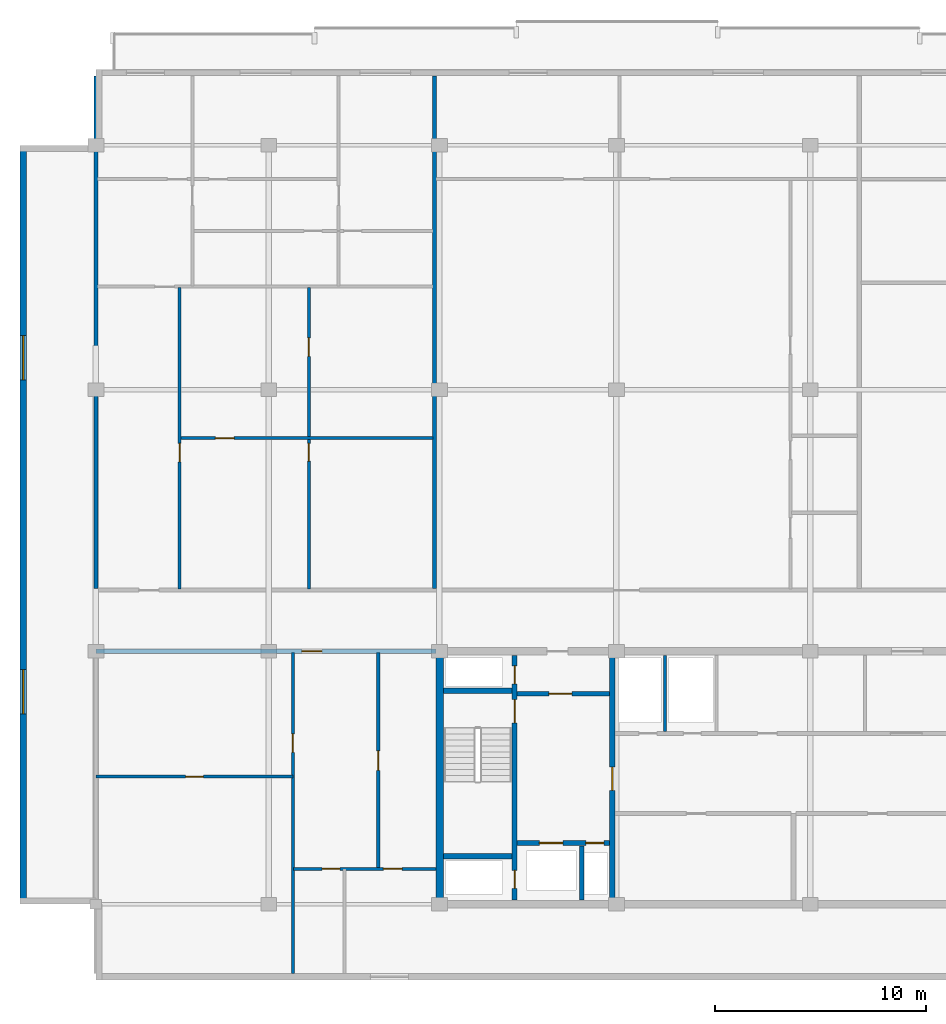
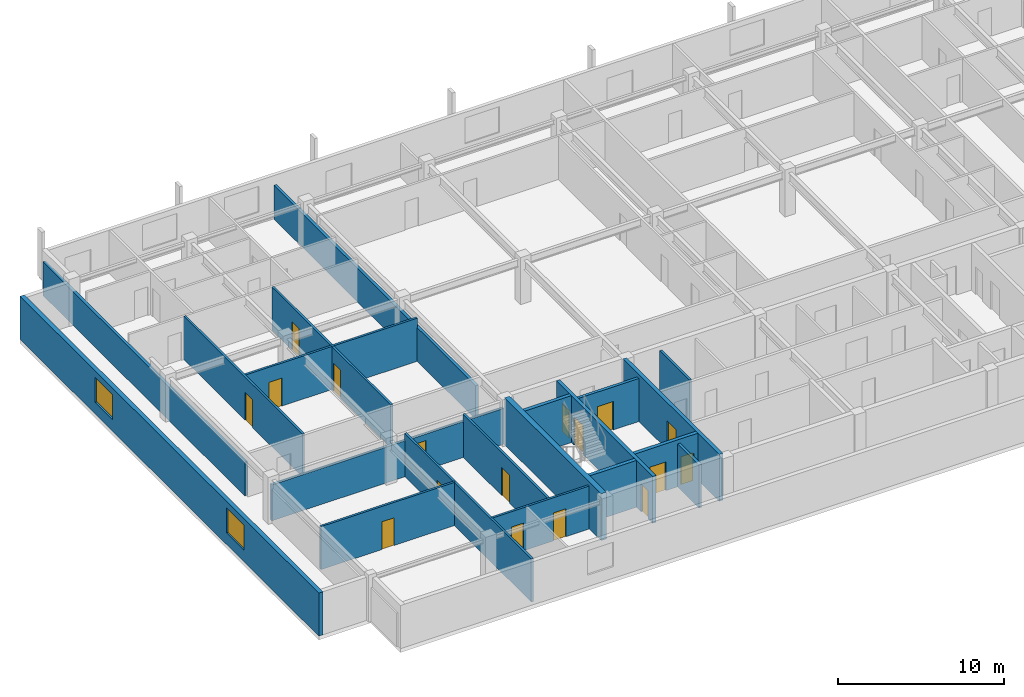
# One storey, part 3 of 10: 20 walls, 17 doors, 2 windows, 19 openings.
"""IFC4 building model written with IfcOpenShell, lengths in metres."""

import ifcopenshell
import ifcopenshell.guid

model = None  # the IFC model being written
_history = None  # IfcOwnerHistory: only IFC2X3 demands one
_inside = {}  # id of a spatial element -> (the spatial element, [elements in it])
_under = {}  # id of a project, library or spatial element -> (it, [spatial elements below it])
_declared = {}  # id of a project -> (the project, [libraries it declares])
_typed = {}  # id of a type object -> (the type object, [elements of that type])
_made_of = {}  # id of a material, layer set ... -> (it, [elements and type objects made of it])


def new_model(schema):
    """Start an empty IFC model of exactly this schema.

    Asked for "IFC4X3", IfcOpenShell would pick the latest addendum, in which some entities
    have other attributes; the version numbers below select the first issue.
    IFC2X3 requires an IfcOwnerHistory on every rooted entity: one is made here for all.
    """
    global model, _history
    if schema == "IFC4X3":
        model = ifcopenshell.file(schema_version=(4, 3, 0, 0))
    else:
        model = ifcopenshell.file(schema=schema)
    _inside.clear()
    _under.clear()
    _declared.clear()
    _typed.clear()
    _made_of.clear()
    _history = None
    if model.schema == "IFC2X3":
        org = make("IfcOrganization", Name="unknown")
        user = make(
            "IfcPersonAndOrganization",
            ThePerson=make("IfcPerson", FamilyName="unknown"),
            TheOrganization=org,
        )
        app = make(
            "IfcApplication",
            ApplicationDeveloper=org,
            Version="unknown",
            ApplicationFullName="unknown",
            ApplicationIdentifier="unknown",
        )
        _history = make(
            "IfcOwnerHistory",
            OwningUser=user,
            OwningApplication=app,
            ChangeAction="ADDED",
            CreationDate=0,
        )
    return model


def make(cls, **values):
    """One entity of the class cls with the attributes given. An attribute that is None is left unset."""
    return model.create_entity(
        cls, **{name: value for name, value in values.items() if value is not None}
    )


def rooted(cls, **values):
    """An entity with a GlobalId (a new one), such as an element, a storey or a relation."""
    return make(cls, GlobalId=ifcopenshell.guid.new(), OwnerHistory=_history, **values)


def si_unit(unit_type, name, prefix=None):
    """IfcSIUnit, for example si_unit("LENGTHUNIT", "METRE", prefix="MILLI")."""
    return make("IfcSIUnit", UnitType=unit_type, Prefix=prefix, Name=name)


def assignment(units):
    """IfcUnitAssignment: the units of a project."""
    return None if units is None else make("IfcUnitAssignment", Units=units)


def point(xyz):
    """IfcCartesianPoint."""
    return None if xyz is None else make("IfcCartesianPoint", Coordinates=xyz)


def direction(xyz):
    """IfcDirection."""
    return None if xyz is None else make("IfcDirection", DirectionRatios=xyz)


def frame(location, z_axis=None, x_axis=None):
    """IfcAxis2Placement3D, a coordinate frame: its origin and axes. An axis left out is left unset."""
    return make(
        "IfcAxis2Placement3D",
        Location=point(location),
        Axis=direction(z_axis),
        RefDirection=direction(x_axis),
    )


def frame_2d(location, x_axis=None):
    """IfcAxis2Placement2D, a coordinate frame in the plane: its origin and x axis."""
    return make(
        "IfcAxis2Placement2D", Location=point(location), RefDirection=direction(x_axis)
    )


def origin():
    """The frame at (0, 0, 0) with its axes left unset."""
    return frame((0.0, 0.0, 0.0))


def place(relative_to, where):
    """IfcLocalPlacement: puts the frame where relative to a parent placement (None: the world)."""
    return make(
        "IfcLocalPlacement", PlacementRelTo=relative_to, RelativePlacement=where
    )


def context(
    kind, dimensions, precision=None, world=None, true_north=None, identifier=None
):
    """IfcGeometricRepresentationContext, for example the 3D "Model" context."""
    return make(
        "IfcGeometricRepresentationContext",
        ContextIdentifier=identifier,
        ContextType=kind,
        CoordinateSpaceDimension=dimensions,
        Precision=precision,
        WorldCoordinateSystem=world,
        TrueNorth=true_north,
    )


def subcontext(parent, identifier, kind, view, scale=None):
    """IfcGeometricRepresentationSubContext, for example "Body" below "Model"."""
    return make(
        "IfcGeometricRepresentationSubContext",
        ContextIdentifier=identifier,
        ContextType=kind,
        ParentContext=parent,
        TargetScale=scale,
        TargetView=view,
    )


def project(units=None, contexts=None):
    """IfcProject with its units and contexts."""
    return rooted(
        "IfcProject",
        Name="project",
        RepresentationContexts=contexts,
        UnitsInContext=assignment(units),
    )


def spatial(cls, under=None, at=None, **own):
    """A site, building, storey or space (cls), placed at a placement, below another one or the project."""
    s = rooted(cls, ObjectPlacement=at, **own)
    if under is not None:
        _under.setdefault(under.id(), (under, []))[1].append(s)
    return s


def profile(cls, at=None, kind="AREA", **sizes):
    """A parametric profile (cls). Its sizes go by their IFC names, for example OverallWidth=200.0."""
    return make(cls, ProfileType=kind, Position=at, **sizes)


def rectangle(**sizes):
    """IfcRectangleProfileDef."""
    return profile("IfcRectangleProfileDef", **sizes)


def extrude(swept, where, along, depth):
    """IfcExtrudedAreaSolid: the profile swept, set in the frame where, extruded along a direction by depth."""
    return make(
        "IfcExtrudedAreaSolid",
        SweptArea=swept,
        Position=where,
        ExtrudedDirection=direction(along),
        Depth=depth,
    )


def shape(context_of_items, identifier, shape_type, items):
    """IfcShapeRepresentation: the items that make up one representation, for example the "Body"."""
    return make(
        "IfcShapeRepresentation",
        ContextOfItems=context_of_items,
        RepresentationIdentifier=identifier,
        RepresentationType=shape_type,
        Items=items,
    )


def material(Name=None, Category=None):
    """IfcMaterial."""
    return make("IfcMaterial", Name=Name, Category=Category)


def layer(
    of_material, thickness, ventilated=None, Name=None, Category=None, Priority=None
):
    """IfcMaterialLayer: one layer of a wall or slab, of a material (None: an air gap)."""
    return make(
        "IfcMaterialLayer",
        Material=of_material,
        LayerThickness=thickness,
        IsVentilated=ventilated,
        Name=Name,
        Category=Category,
        Priority=Priority,
    )


def layer_set(layers, Name=None):
    """IfcMaterialLayerSet."""
    return make("IfcMaterialLayerSet", MaterialLayers=layers, LayerSetName=Name)


def made_of(thing, what):
    """Note that an element or type object is made of a material, layer set ...; save() writes the relation."""
    if what is not None:
        _made_of.setdefault(what.id(), (what, []))[1].append(thing)
    return thing


def type_object(cls, material=None, **own):
    """A type object (cls), such as IfcWallType, which elements share."""
    return made_of(rooted(cls, **own), material)


def element(
    cls,
    number,
    at=None,
    inside=None,
    cuts=None,
    type_object=None,
    material=None,
    context=None,
    identifier="Body",
    shape_type=None,
    held_by="IfcProductDefinitionShape",
    body=None,
    shapes=None,
    **own,
):
    """One element of the class cls, such as IfcWall. Its Tag is "e" and its number.

    at: its placement. inside: the storey or other place that contains it. cuts: it is an
    opening in that element (IfcRelVoidsElement). A single representation is given by context,
    identifier, shape_type and body (its items); several are given by shapes. held_by: the class
    of the entity that holds the representations. save() writes the other relations.
    """
    e = rooted(cls, Tag="e%d" % number, ObjectPlacement=at, **own)
    if body is not None:
        shapes = [shape(context, identifier, shape_type, body)]
    if shapes is not None:
        e.Representation = make(held_by, Representations=shapes)
    if inside is not None:
        _inside.setdefault(inside.id(), (inside, []))[1].append(e)
    if cuts is not None:
        rooted(
            "IfcRelVoidsElement", RelatingBuildingElement=cuts, RelatedOpeningElement=e
        )
    if type_object is not None:
        _typed.setdefault(type_object.id(), (type_object, []))[1].append(e)
    return made_of(e, material)


def fill(opening, filler):
    """IfcRelFillsElement: the door or window that sits in an opening."""
    return rooted(
        "IfcRelFillsElement",
        RelatingOpeningElement=opening,
        RelatedBuildingElement=filler,
    )


def aggregate(whole, parts):
    """IfcRelAggregates: a whole, such as a stair, and the parts it consists of."""
    return rooted("IfcRelAggregates", RelatingObject=whole, RelatedObjects=parts)


def save(model, path):
    """Write the relations noted so far, then the file.

    IfcRelAggregates (storeys below a building ...), IfcRelContainedInSpatialStructure (elements
    in a storey), IfcRelDefinesByType, IfcRelAssociatesMaterial and IfcRelDeclares: one each for
    every whole, place, type object, material and project.
    """
    for whole, parts in _under.values():
        aggregate(whole, parts)
    for where, things in _inside.values():
        rooted(
            "IfcRelContainedInSpatialStructure",
            RelatedElements=things,
            RelatingStructure=where,
        )
    for kind, things in _typed.values():
        rooted("IfcRelDefinesByType", RelatedObjects=things, RelatingType=kind)
    for what, things in _made_of.values():
        rooted("IfcRelAssociatesMaterial", RelatedObjects=things, RelatingMaterial=what)
    for by, libraries in _declared.values():
        rooted("IfcRelDeclares", RelatingContext=by, RelatedDefinitions=libraries)
    model.write(path)


model = new_model("IFC4")

# Units and contexts
model_context = context("Model", 3, precision=1e-05, world=origin(), true_north=direction((0.0, 1.0)))
body_context = subcontext(model_context, "Body", "Model", "MODEL_VIEW")
ifc_project = project(units=[si_unit("LENGTHUNIT", "METRE"), si_unit("AREAUNIT", "SQUARE_METRE"), si_unit("VOLUMEUNIT", "CUBIC_METRE"), si_unit("PLANEANGLEUNIT", "RADIAN"), si_unit("MASSUNIT", "GRAM", prefix="KILO")], contexts=[model_context])

# Site, building, storey
site_placement = place(None, origin())
site = spatial("IfcSite", under=ifc_project, at=site_placement, CompositionType="ELEMENT")
building_placement = place(site_placement, origin())
building = spatial("IfcBuilding", under=site, at=building_placement, Name="Korimba Cascade Residences", CompositionType="ELEMENT")
storey_placement = place(building_placement, frame((0.0, 0.0, 239.0)))
storey = spatial("IfcBuildingStorey", under=building, at=storey_placement, Name="L69", CompositionType="ELEMENT", Elevation=239.0)

# Wall, openings, windows
ifc_material_1 = material(Name="Precast concrete C40/50", Category="concrete")
ifc_layer_1 = layer(ifc_material_1, 0.300048828125)
ifc_layer_set_1 = layer_set([ifc_layer_1], Name="Precast concrete C40/50")
wall_type_1 = type_object("IfcWallType", Name="EW-STONE-300", PredefinedType="STANDARD", material=ifc_layer_set_1)
wall_1_placement = place(storey_placement, frame((56.35009765625, 91.199951171875, 0.0), z_axis=(0.0, 0.0, 1.0), x_axis=(0.0, -1.0, 0.0)))
wall_1 = element("IfcWall", 1, at=wall_1_placement, inside=storey, type_object=wall_type_1, Name="L69 T1 Perimeter Stone Wall E09", PredefinedType="STANDARD", context=body_context, shape_type="SweptSolid", body=[
    extrude(rectangle(XDim=36.0, YDim=0.300048828125, at=frame_2d((18.0, 0.0))), origin(), (0.0, 0.0, 1.0), 3.169921875),
])
opening_1_placement = place(wall_1_placement, frame((9.030029296875, 0.0, 0.85009765625)))
opening_1 = element("IfcOpeningElement", 2, at=opening_1_placement, cuts=wall_1, Name="Opening W-03", PredefinedType="OPENING", context=body_context, shape_type="SweptSolid", body=[
    extrude(rectangle(XDim=2.10009765625, YDim=1.85009765625, at=frame_2d((1.050048828125, 0.925048828125))), frame((0.0, 0.16015625, 0.0), z_axis=(0.0, -1.0, 0.0), x_axis=(1.0, 0.0, 0.0)), (0.0, 0.0, 1.0), 0.320068359375),
])
opening_2_placement = place(wall_1_placement, frame((24.8701171875, 0.0, 0.85009765625)))
opening_2 = element("IfcOpeningElement", 3, at=opening_2_placement, cuts=wall_1, Name="Opening W-03", PredefinedType="OPENING", context=body_context, shape_type="SweptSolid", body=[
    extrude(rectangle(XDim=2.10009765625, YDim=1.85009765625, at=frame_2d((1.050048828125, 0.925048828125))), frame((0.0, 0.16015625, 0.0), z_axis=(0.0, -1.0, 0.0), x_axis=(1.0, 0.0, 0.0)), (0.0, 0.0, 1.0), 0.320068359375),
])
ifc_material_2 = material(Name="Double-Glazed Aluminium Window", Category="aluminium")
window_type = type_object("IfcWindowType", Name="WIN-CRN-2100", PartitioningType="DOUBLE_PANEL_HORIZONTAL", PredefinedType="WINDOW", material=ifc_material_2)
window_1_placement = place(opening_1_placement, origin())
window_1 = element("IfcWindow", 4, at=window_1_placement, inside=storey, type_object=window_type, Name="L69 T1 End View Window 9.1", OverallHeight=1.85009765625, OverallWidth=2.10009765625, PartitioningType="DOUBLE_PANEL_HORIZONTAL", PredefinedType="WINDOW", context=body_context, shape_type="SweptSolid", body=[
    extrude(rectangle(XDim=2.10009765625, YDim=1.85009765625, at=frame_2d((1.050048828125, 0.925048828125))), frame((0.0, 0.030029296875, 0.0), z_axis=(0.0, -1.0, 0.0), x_axis=(1.0, 0.0, 0.0)), (0.0, 0.0, 1.0), 0.06005859375),
])
fill(opening_1, window_1)
window_2_placement = place(opening_2_placement, origin())
window_2 = element("IfcWindow", 5, at=window_2_placement, inside=storey, type_object=window_type, Name="L69 T1 End View Window 9.2", OverallHeight=1.85009765625, OverallWidth=2.10009765625, PartitioningType="DOUBLE_PANEL_HORIZONTAL", PredefinedType="WINDOW", context=body_context, shape_type="SweptSolid", body=[
    extrude(rectangle(XDim=2.10009765625, YDim=1.85009765625, at=frame_2d((1.050048828125, 0.925048828125))), frame((0.0, 0.030029296875, 0.0), z_axis=(0.0, -1.0, 0.0), x_axis=(1.0, 0.0, 0.0)), (0.0, 0.0, 1.0), 0.06005859375),
])
fill(opening_2, window_2)

# Wall
ifc_material_3 = material(Name="Concrete C65/80", Category="concrete")
ifc_layer_2 = layer(ifc_material_3, 0.35009765625)
ifc_layer_set_2 = layer_set([ifc_layer_2], Name="Concrete C65/80")
wall_type_2 = type_object("IfcWallType", Name="WAL-CORE-350", PredefinedType="SHEAR", material=ifc_layer_set_2)
wall_2_placement = place(storey_placement, frame((76.125, 55.375, 0.0), z_axis=(0.0, 0.0, 1.0), x_axis=(0.0, 1.0, 0.0)))
element("IfcWall", 6, at=wall_2_placement, inside=storey, type_object=wall_type_2, Name="L69 Core Shear Wall CW-L69-T1-W", PredefinedType="SHEAR", context=body_context, shape_type="SweptSolid", body=[
    extrude(rectangle(XDim=11.64990234375, YDim=0.35009765625, at=frame_2d((5.824951171875, 0.0))), origin(), (0.0, 0.0, 1.0), 3.449951171875),
])

# Wall, opening, door
ifc_layer_3 = layer(ifc_material_1, 0.199951171875)
ifc_layer_set_3 = layer_set([ifc_layer_3], Name="Precast concrete C40/50")
wall_type_3 = type_object("IfcWallType", Name="WAL-IT-200", PredefinedType="PARTITIONING", material=ifc_layer_set_3)
wall_3_placement = place(storey_placement, frame((59.800048828125, 67.199951171875, 0.0), z_axis=(0.0, 0.0, 1.0), x_axis=(1.0, 0.0, 0.0)))
wall_3 = element("IfcWall", 7, at=wall_3_placement, inside=storey, type_object=wall_type_3, Name="L69 Partition Wall WAL-L69-T1-FW-N", PredefinedType="PARTITIONING", context=body_context, shape_type="SweptSolid", body=[
    extrude(rectangle(XDim=16.14990234375, YDim=0.199951171875, at=frame_2d((8.074951171875, 0.0))), origin(), (0.0, 0.0, 1.0), 2.63330078125),
])
opening_3_placement = place(wall_3_placement, frame((9.7724609375, 0.0, 0.0)))
opening_3 = element("IfcOpeningElement", 8, at=opening_3_placement, cuts=wall_3, Name="Opening D-UN1", PredefinedType="OPENING", context=body_context, shape_type="SweptSolid", body=[
    extrude(rectangle(XDim=0.949951171875, YDim=2.14990234375, at=frame_2d((0.47509765625, 1.074951171875))), frame((0.0, 0.10986328125, 0.0), z_axis=(0.0, -1.0, 0.0), x_axis=(1.0, 0.0, 0.0)), (0.0, 0.0, 1.0), 0.219970703125),
])
ifc_material_4 = material(Name="Fire-Rated Hardwood Apartment Entrance Door", Category="wood")
door_type_1 = type_object("IfcDoorType", Name="DR-FD60-950", OperationType="NOTDEFINED", PredefinedType="DOOR", material=ifc_material_4)
door_1_placement = place(opening_3_placement, origin())
door_1 = element("IfcDoor", 9, at=door_1_placement, inside=storey, type_object=door_type_1, Name="L69-T1-FW Entrance Door", OperationType="SINGLE_SWING_LEFT", OverallHeight=2.14990234375, OverallWidth=0.949951171875, PredefinedType="DOOR", context=body_context, shape_type="SweptSolid", body=[
    extrude(rectangle(XDim=0.949951171875, YDim=2.14990234375, at=frame_2d((0.47509765625, 1.074951171875))), frame((0.0, 0.02490234375, 0.0), z_axis=(0.0, -1.0, 0.0), x_axis=(1.0, 0.0, 0.0)), (0.0, 0.0, 1.0), 0.050048828125),
])
fill(opening_3, door_1)

# Walls
for number, where, z_axis, x_axis, name in (
    (10, (59.800048828125, 70.179931640625, 0.0), (0.0, 0.0, 1.0), (0.0, 1.0, 0.0), "L69 Partition Wall WAL-L69-T1-BNDWL"),
    (11, (75.864990234375, 70.179931640625, 0.0), (0.0, 0.0, 1.0), (0.0, 1.0, 0.0), "L69 Partition Wall WAL-L69-T1-DEM-1"),
):
    element("IfcWall", number, at=place(storey_placement, frame(where, z_axis=z_axis, x_axis=x_axis)), inside=storey, type_object=wall_type_3, Name=name, PredefinedType="PARTITIONING", context=body_context, shape_type="SweptSolid", body=[
        extrude(rectangle(XDim=24.320068359375, YDim=0.199951171875, at=frame_2d((12.16015625, 0.0))), origin(), (0.0, 0.0, 1.0), 2.47705078125),
    ])
ifc_material_5 = material(Name="Insulated Acoustic Stud Partition", Category="gypsum")
ifc_layer_4 = layer(ifc_material_5, 0.14990234375)
ifc_layer_set_4 = layer_set([ifc_layer_4], Name="Insulated Acoustic Stud Partition")
wall_type_4 = type_object("IfcWallType", Name="WAL-PART-150", PredefinedType="PARTITIONING", material=ifc_layer_set_4)
wall_4_placement = place(storey_placement, frame((86.800048828125, 63.39990234375, 0.0), z_axis=(0.0, 0.0, 1.0), x_axis=(0.0, 1.0, 0.0)))
element("IfcWall", 12, at=wall_4_placement, inside=storey, type_object=wall_type_4, Name="L69 Partition Wall CW-L69-T1-ERDIV", PredefinedType="PARTITIONING", context=body_context, shape_type="SweptSolid", body=[
    extrude(rectangle(XDim=3.60009765625, YDim=0.14990234375, at=frame_2d((1.800048828125, 0.0))), origin(), (0.0, 0.0, 1.0), 3.169921875),
])

# Wall, opening, door
wall_5_placement = place(storey_placement, frame((59.800048828125, 61.25, 0.0), z_axis=(0.0, 0.0, 1.0), x_axis=(1.0, 0.0, 0.0)))
wall_5 = element("IfcWall", 13, at=wall_5_placement, inside=storey, type_object=wall_type_4, Name="L69 Partition Wall WAL-L69-T1-FW-STH", PredefinedType="PARTITIONING", context=body_context, shape_type="SweptSolid", body=[
    extrude(rectangle(XDim=9.349853515625, YDim=0.14990234375, at=frame_2d((4.6748046875, 0.0))), origin(), (0.0, 0.0, 1.0), 3.169921875),
])
opening_4_placement = place(wall_5_placement, frame((4.2548828125, 0.0, 0.0)))
opening_4 = element("IfcOpeningElement", 14, at=opening_4_placement, cuts=wall_5, Name="Opening D-BT1", PredefinedType="OPENING", context=body_context, shape_type="SweptSolid", body=[
    extrude(rectangle(XDim=0.840087890625, YDim=2.0400390625, at=frame_2d((0.419921875, 1.02001953125))), frame((0.0, 0.0849609375, 0.0), z_axis=(0.0, -1.0, 0.0), x_axis=(1.0, 0.0, 0.0)), (0.0, 0.0, 1.0), 0.169921875),
])
ifc_material_6 = material(Name="Moisture-Resistant Bathroom Timber Door", Category="wood")
door_type_2 = type_object("IfcDoorType", Name="DR-INT-850", OperationType="NOTDEFINED", PredefinedType="DOOR", material=ifc_material_6)
door_2_placement = place(opening_4_placement, origin())
door_2 = element("IfcDoor", 15, at=door_2_placement, inside=storey, type_object=door_type_2, Name="L69-T1-FW Dressing Store Door", OperationType="SINGLE_SWING_RIGHT", OverallHeight=2.0400390625, OverallWidth=0.840087890625, PredefinedType="DOOR", context=body_context, shape_type="SweptSolid", body=[
    extrude(rectangle(XDim=0.840087890625, YDim=2.0400390625, at=frame_2d((0.419921875, 1.02001953125))), frame((0.0, 0.02490234375, 0.0), z_axis=(0.0, -1.0, 0.0), x_axis=(1.0, 0.0, 0.0)), (0.0, 0.0, 1.0), 0.050048828125),
])
fill(opening_4, door_2)

wall_6_placement = place(storey_placement, frame((69.14990234375, 51.89990234375, 0.0), z_axis=(0.0, 0.0, 1.0), x_axis=(0.0, 1.0, 0.0)))
wall_6 = element("IfcWall", 16, at=wall_6_placement, inside=storey, type_object=wall_type_4, Name="L69 Partition Wall WAL-L69-T1-FW-STV", PredefinedType="PARTITIONING", context=body_context, shape_type="SweptSolid", body=[
    extrude(rectangle(XDim=15.25, YDim=0.14990234375, at=frame_2d((7.625, 0.0))), origin(), (0.0, 0.0, 1.0), 3.169921875),
])
opening_5_placement = place(wall_6_placement, frame((10.5, 0.0, 0.0)))
opening_5 = element("IfcOpeningElement", 17, at=opening_5_placement, cuts=wall_6, Name="Opening D-IN2", PredefinedType="OPENING", context=body_context, shape_type="SweptSolid", body=[
    extrude(rectangle(XDim=0.8798828125, YDim=2.06005859375, at=frame_2d((0.43994140625, 1.030029296875))), frame((0.0, 0.0849609375, 0.0), z_axis=(0.0, -1.0, 0.0), x_axis=(1.0, 0.0, 0.0)), (0.0, 0.0, 1.0), 0.169921875),
])
ifc_material_7 = material(Name="Acoustic Timber Bedroom Door", Category="wood")
door_type_3 = type_object("IfcDoorType", Name="DR-INT-880", OperationType="NOTDEFINED", PredefinedType="DOOR", material=ifc_material_7)
door_3_placement = place(opening_5_placement, origin())
door_3 = element("IfcDoor", 18, at=door_3_placement, inside=storey, type_object=door_type_3, Name="L69-T1-FW Study Door", OperationType="SINGLE_SWING_LEFT", OverallHeight=2.06005859375, OverallWidth=0.8798828125, PredefinedType="DOOR", context=body_context, shape_type="SweptSolid", body=[
    extrude(rectangle(XDim=0.8798828125, YDim=2.06005859375, at=frame_2d((0.43994140625, 1.030029296875))), frame((0.0, 0.02490234375, 0.0), z_axis=(0.0, -1.0, 0.0), x_axis=(1.0, 0.0, 0.0)), (0.0, 0.0, 1.0), 0.050048828125),
])
fill(opening_5, door_3)

wall_7_placement = place(storey_placement, frame((73.199951171875, 56.8701171875, 0.0), z_axis=(0.0, 0.0, 1.0), x_axis=(0.0, 1.0, 0.0)))
wall_7 = element("IfcWall", 19, at=wall_7_placement, inside=storey, type_object=wall_type_4, Name="L69 Partition Wall WAL-L69-T1-FW-VN", PredefinedType="PARTITIONING", context=body_context, shape_type="SweptSolid", body=[
    extrude(rectangle(XDim=10.27978515625, YDim=0.14990234375, at=frame_2d((5.139892578125, 0.0))), origin(), (0.0, 0.0, 1.0), 3.169921875),
])
opening_6_placement = place(wall_7_placement, frame((4.679931640625, 0.0, 0.0)))
opening_6 = element("IfcOpeningElement", 20, at=opening_6_placement, cuts=wall_7, Name="Opening D-IN1", PredefinedType="OPENING", context=body_context, shape_type="SweptSolid", body=[
    extrude(rectangle(XDim=0.919921875, YDim=2.080078125, at=frame_2d((0.4599609375, 1.0400390625))), frame((0.0, 0.0849609375, 0.0), z_axis=(0.0, -1.0, 0.0), x_axis=(1.0, 0.0, 0.0)), (0.0, 0.0, 1.0), 0.169921875),
])
ifc_material_8 = material(Name="Acoustic Timber Living Door", Category="wood")
door_type_4 = type_object("IfcDoorType", Name="DR-INT-920", OperationType="NOTDEFINED", PredefinedType="DOOR", material=ifc_material_8)
door_4_placement = place(opening_6_placement, origin())
door_4 = element("IfcDoor", 21, at=door_4_placement, inside=storey, type_object=door_type_4, Name="L69-T1-FW Living Door", OperationType="SINGLE_SWING_RIGHT", OverallHeight=2.080078125, OverallWidth=0.919921875, PredefinedType="DOOR", context=body_context, shape_type="SweptSolid", body=[
    extrude(rectangle(XDim=0.919921875, YDim=2.080078125, at=frame_2d((0.4599609375, 1.0400390625))), frame((0.0, 0.02490234375, 0.0), z_axis=(0.0, -1.0, 0.0), x_axis=(1.0, 0.0, 0.0)), (0.0, 0.0, 1.0), 0.050048828125),
])
fill(opening_6, door_4)

# Wall, openings, doors
wall_8_placement = place(storey_placement, frame((69.169921875, 56.8701171875, 0.0), z_axis=(0.0, 0.0, 1.0), x_axis=(1.0, 0.0, 0.0)))
wall_8 = element("IfcWall", 22, at=wall_8_placement, inside=storey, type_object=wall_type_4, Name="L69 Partition Wall WAL-L69-T1-FW-H", PredefinedType="PARTITIONING", context=body_context, shape_type="SweptSolid", body=[
    extrude(rectangle(XDim=6.760009765625, YDim=0.14990234375, at=frame_2d((3.3798828125, 0.0))), origin(), (0.0, 0.0, 1.0), 3.169921875),
])
opening_7_placement = place(wall_8_placement, frame((1.3623046875, 0.0, 0.0)))
opening_7 = element("IfcOpeningElement", 23, at=opening_7_placement, cuts=wall_8, Name="Opening D-BT1", PredefinedType="OPENING", context=body_context, shape_type="SweptSolid", body=[
    extrude(rectangle(XDim=0.840087890625, YDim=2.0400390625, at=frame_2d((0.419921875, 1.02001953125))), frame((0.0, 0.0849609375, 0.0), z_axis=(0.0, -1.0, 0.0), x_axis=(1.0, 0.0, 0.0)), (0.0, 0.0, 1.0), 0.169921875),
])
opening_8_placement = place(wall_8_placement, frame((4.276611328125, 0.0, 0.0)))
opening_8 = element("IfcOpeningElement", 24, at=opening_8_placement, cuts=wall_8, Name="Opening D-IN2", PredefinedType="OPENING", context=body_context, shape_type="SweptSolid", body=[
    extrude(rectangle(XDim=0.8798828125, YDim=2.06005859375, at=frame_2d((0.43994140625, 1.030029296875))), frame((0.0, 0.0849609375, 0.0), z_axis=(0.0, -1.0, 0.0), x_axis=(1.0, 0.0, 0.0)), (0.0, 0.0, 1.0), 0.169921875),
])
door_5_placement = place(opening_7_placement, origin())
door_5 = element("IfcDoor", 25, at=door_5_placement, inside=storey, type_object=door_type_2, Name="L69-T1-FW Bathroom Door", OperationType="SINGLE_SWING_LEFT", OverallHeight=2.0400390625, OverallWidth=0.840087890625, PredefinedType="DOOR", context=body_context, shape_type="SweptSolid", body=[
    extrude(rectangle(XDim=0.840087890625, YDim=2.0400390625, at=frame_2d((0.419921875, 1.02001953125))), frame((0.0, 0.02490234375, 0.0), z_axis=(0.0, -1.0, 0.0), x_axis=(1.0, 0.0, 0.0)), (0.0, 0.0, 1.0), 0.050048828125),
])
fill(opening_7, door_5)
door_6_placement = place(opening_8_placement, origin())
door_6 = element("IfcDoor", 26, at=door_6_placement, inside=storey, type_object=door_type_3, Name="L69-T1-FW Bedroom Door", OperationType="SINGLE_SWING_RIGHT", OverallHeight=2.06005859375, OverallWidth=0.8798828125, PredefinedType="DOOR", context=body_context, shape_type="SweptSolid", body=[
    extrude(rectangle(XDim=0.8798828125, YDim=2.06005859375, at=frame_2d((0.43994140625, 1.030029296875))), frame((0.0, 0.02490234375, 0.0), z_axis=(0.0, -1.0, 0.0), x_axis=(1.0, 0.0, 0.0)), (0.0, 0.0, 1.0), 0.050048828125),
])
fill(opening_8, door_6)

wall_9_placement = place(storey_placement, frame((69.90771484375, 70.159912109375, 0.0), z_axis=(0.0, 0.0, 1.0), x_axis=(0.0, 1.0, 0.0)))
wall_9 = element("IfcWall", 27, at=wall_9_placement, inside=storey, type_object=wall_type_4, Name="L69 Partition Wall WAL-L69-T1-U01-FMV", PredefinedType="PARTITIONING", context=body_context, shape_type="SweptSolid", body=[
    extrude(rectangle(XDim=14.300048828125, YDim=0.14990234375, at=frame_2d((7.14990234375, 0.0))), origin(), (0.0, 0.0, 1.0), 3.169921875),
])
opening_9_placement = place(wall_9_placement, frame((6.06005859375, 0.0, 0.0)))
opening_9 = element("IfcOpeningElement", 28, at=opening_9_placement, cuts=wall_9, Name="Opening D-BT1", PredefinedType="OPENING", context=body_context, shape_type="SweptSolid", body=[
    extrude(rectangle(XDim=0.840087890625, YDim=2.0400390625, at=frame_2d((0.419921875, 1.02001953125))), frame((0.0, 0.0849609375, 0.0), z_axis=(0.0, -1.0, 0.0), x_axis=(1.0, 0.0, 0.0)), (0.0, 0.0, 1.0), 0.169921875),
])
opening_10_placement = place(wall_9_placement, frame((11.02880859375, 0.0, 0.0)))
opening_10 = element("IfcOpeningElement", 29, at=opening_10_placement, cuts=wall_9, Name="Opening D-IN2", PredefinedType="OPENING", context=body_context, shape_type="SweptSolid", body=[
    extrude(rectangle(XDim=0.8798828125, YDim=2.06005859375, at=frame_2d((0.43994140625, 1.030029296875))), frame((0.0, 0.0849609375, 0.0), z_axis=(0.0, -1.0, 0.0), x_axis=(1.0, 0.0, 0.0)), (0.0, 0.0, 1.0), 0.169921875),
])
door_7_placement = place(opening_9_placement, origin())
door_7 = element("IfcDoor", 30, at=door_7_placement, inside=storey, type_object=door_type_2, Name="L69-T1-U01 Wardrobe Door", OperationType="SINGLE_SWING_RIGHT", OverallHeight=2.0400390625, OverallWidth=0.840087890625, PredefinedType="DOOR", context=body_context, shape_type="SweptSolid", body=[
    extrude(rectangle(XDim=0.840087890625, YDim=2.0400390625, at=frame_2d((0.419921875, 1.02001953125))), frame((0.0, 0.02490234375, 0.0), z_axis=(0.0, -1.0, 0.0), x_axis=(1.0, 0.0, 0.0)), (0.0, 0.0, 1.0), 0.050048828125),
])
fill(opening_9, door_7)
door_8_placement = place(opening_10_placement, origin())
door_8 = element("IfcDoor", 31, at=door_8_placement, inside=storey, type_object=door_type_3, Name="L69-T1-U01 Music Lounge Door", OperationType="SINGLE_SWING_LEFT", OverallHeight=2.06005859375, OverallWidth=0.8798828125, PredefinedType="DOOR", context=body_context, shape_type="SweptSolid", body=[
    extrude(rectangle(XDim=0.8798828125, YDim=2.06005859375, at=frame_2d((0.43994140625, 1.030029296875))), frame((0.0, 0.02490234375, 0.0), z_axis=(0.0, -1.0, 0.0), x_axis=(1.0, 0.0, 0.0)), (0.0, 0.0, 1.0), 0.050048828125),
])
fill(opening_10, door_8)

# Wall, opening, door
wall_10_placement = place(storey_placement, frame((63.830078125, 77.31005859375, 0.0), z_axis=(0.0, 0.0, 1.0), x_axis=(1.0, 0.0, 0.0)))
wall_10 = element("IfcWall", 32, at=wall_10_placement, inside=storey, type_object=wall_type_4, Name="L69 Partition Wall WAL-L69-T1-U01-FMH", PredefinedType="PARTITIONING", context=body_context, shape_type="SweptSolid", body=[
    extrude(rectangle(XDim=11.955078125, YDim=0.14990234375, at=frame_2d((5.9775390625, 0.0))), origin(), (0.0, 0.0, 1.0), 3.169921875),
])
opening_11_placement = place(wall_10_placement, frame((1.645751953125, 0.0, 0.0)))
opening_11 = element("IfcOpeningElement", 33, at=opening_11_placement, cuts=wall_10, Name="Opening D-IN2", PredefinedType="OPENING", context=body_context, shape_type="SweptSolid", body=[
    extrude(rectangle(XDim=0.8798828125, YDim=2.06005859375, at=frame_2d((0.43994140625, 1.030029296875))), frame((0.0, 0.0849609375, 0.0), z_axis=(0.0, -1.0, 0.0), x_axis=(1.0, 0.0, 0.0)), (0.0, 0.0, 1.0), 0.169921875),
])
door_9_placement = place(opening_11_placement, origin())
door_9 = element("IfcDoor", 34, at=door_9_placement, inside=storey, type_object=door_type_3, Name="L69-T1-U01 Library Salon Door", OperationType="SINGLE_SWING_RIGHT", OverallHeight=2.06005859375, OverallWidth=0.8798828125, PredefinedType="DOOR", context=body_context, shape_type="SweptSolid", body=[
    extrude(rectangle(XDim=0.8798828125, YDim=2.06005859375, at=frame_2d((0.43994140625, 1.030029296875))), frame((0.0, 0.02490234375, 0.0), z_axis=(0.0, -1.0, 0.0), x_axis=(1.0, 0.0, 0.0)), (0.0, 0.0, 1.0), 0.050048828125),
])
fill(opening_11, door_9)

wall_11_placement = place(storey_placement, frame((63.77001953125, 70.159912109375, 0.0), z_axis=(0.0, 0.0, 1.0), x_axis=(0.0, 1.0, 0.0)))
wall_11 = element("IfcWall", 35, at=wall_11_placement, inside=storey, type_object=wall_type_4, Name="L69 Partition Wall WAL-L69-T1-U01-FV", PredefinedType="PARTITIONING", context=body_context, shape_type="SweptSolid", body=[
    extrude(rectangle(XDim=14.300048828125, YDim=0.14990234375, at=frame_2d((7.14990234375, 0.0))), origin(), (0.0, 0.0, 1.0), 3.169921875),
])
opening_12_placement = place(wall_11_placement, frame((6.02001953125, 0.0, 0.0)))
opening_12 = element("IfcOpeningElement", 36, at=opening_12_placement, cuts=wall_11, Name="Opening D-IN2", PredefinedType="OPENING", context=body_context, shape_type="SweptSolid", body=[
    extrude(rectangle(XDim=0.8798828125, YDim=2.06005859375, at=frame_2d((0.43994140625, 1.030029296875))), frame((0.0, 0.0849609375, 0.0), z_axis=(0.0, -1.0, 0.0), x_axis=(1.0, 0.0, 0.0)), (0.0, 0.0, 1.0), 0.169921875),
])
door_10_placement = place(opening_12_placement, origin())
door_10 = element("IfcDoor", 37, at=door_10_placement, inside=storey, type_object=door_type_3, Name="L69-T1-U01 Media Lounge Door", OperationType="SINGLE_SWING_LEFT", OverallHeight=2.06005859375, OverallWidth=0.8798828125, PredefinedType="DOOR", context=body_context, shape_type="SweptSolid", body=[
    extrude(rectangle(XDim=0.8798828125, YDim=2.06005859375, at=frame_2d((0.43994140625, 1.030029296875))), frame((0.0, 0.02490234375, 0.0), z_axis=(0.0, -1.0, 0.0), x_axis=(1.0, 0.0, 0.0)), (0.0, 0.0, 1.0), 0.050048828125),
])
fill(opening_12, door_10)

# Wall
ifc_material_9 = material(Name="Concrete C40/50", Category="concrete")
ifc_layer_5 = layer(ifc_material_9, 0.199951171875)
ifc_layer_set_5 = layer_set([ifc_layer_5], Name="Concrete C40/50")
wall_type_5 = type_object("IfcWallType", Name="WAL-PART-200", PredefinedType="PARTITIONING", material=ifc_layer_set_5)
wall_12_placement = place(storey_placement, frame((82.85009765625, 55.39990234375, 0.0), z_axis=(0.0, 0.0, 1.0), x_axis=(0.0, 1.0, 0.0)))
element("IfcWall", 38, at=wall_12_placement, inside=storey, type_object=wall_type_5, Name="L69 Partition Wall CW-L69-T1-FFLDIV", PredefinedType="PARTITIONING", context=body_context, shape_type="SweptSolid", body=[
    extrude(rectangle(XDim=2.56005859375, YDim=0.199951171875, at=frame_2d((1.280029296875, 0.0))), origin(), (0.0, 0.0, 1.0), 3.169921875),
])

# Wall, opening, door
wall_13_placement = place(storey_placement, frame((79.7900390625, 65.179931640625, 0.0), z_axis=(0.0, 0.0, 1.0), x_axis=(1.0, 0.0, 0.0)))
wall_13 = element("IfcWall", 39, at=wall_13_placement, inside=storey, type_object=wall_type_5, Name="L69 Partition Wall CW-L69-T1-FFLN", PredefinedType="PARTITIONING", context=body_context, shape_type="SweptSolid", body=[
    extrude(rectangle(XDim=4.389892578125, YDim=0.199951171875, at=frame_2d((2.19482421875, 0.0))), origin(), (0.0, 0.0, 1.0), 3.169921875),
])
opening_13_placement = place(wall_13_placement, frame((1.5, 0.0, 0.0)))
opening_13 = element("IfcOpeningElement", 40, at=opening_13_placement, cuts=wall_13, Name="Opening D-FD1", PredefinedType="OPENING", context=body_context, shape_type="SweptSolid", body=[
    extrude(rectangle(XDim=1.10009765625, YDim=2.10009765625, at=frame_2d((0.550048828125, 1.050048828125))), frame((0.0, 0.10986328125, 0.0), z_axis=(0.0, -1.0, 0.0), x_axis=(1.0, 0.0, 0.0)), (0.0, 0.0, 1.0), 0.219970703125),
])
ifc_material_10 = material(Name="Fire-Rated Steel Core Door", Category="steel")
door_type_5 = type_object("IfcDoorType", Name="DR-FD120-1100", OperationType="NOTDEFINED", PredefinedType="DOOR", material=ifc_material_10)
door_11_placement = place(opening_13_placement, origin())
door_11 = element("IfcDoor", 41, at=door_11_placement, inside=storey, type_object=door_type_5, Name="L69 West Firefighting Lobby Door", OperationType="SINGLE_SWING_RIGHT", OverallHeight=2.10009765625, OverallWidth=1.10009765625, PredefinedType="DOOR", context=body_context, shape_type="SweptSolid", body=[
    extrude(rectangle(XDim=1.10009765625, YDim=2.10009765625, at=frame_2d((0.550048828125, 1.050048828125))), frame((0.0, 0.02490234375, 0.0), z_axis=(0.0, -1.0, 0.0), x_axis=(1.0, 0.0, 0.0)), (0.0, 0.0, 1.0), 0.050048828125),
])
fill(opening_13, door_11)

# Wall, openings, doors
ifc_material_11 = material(Name="Concrete C50/60", Category="concrete")
ifc_layer_6 = layer(ifc_material_11, 0.25)
ifc_layer_set_6 = layer_set([ifc_layer_6], Name="Concrete C50/60")
wall_type_6 = type_object("IfcWallType", Name="WAL-SHAFT-250", PredefinedType="SHEAR", material=ifc_layer_set_6)
wall_14_placement = place(storey_placement, frame((79.6650390625, 55.39990234375, 0.0), z_axis=(0.0, 0.0, 1.0), x_axis=(0.0, 1.0, 0.0)))
wall_14 = element("IfcWall", 42, at=wall_14_placement, inside=storey, type_object=wall_type_6, Name="L69 Core Shear Wall CW-L69-T1-STW1E", PredefinedType="SHEAR", context=body_context, shape_type="SweptSolid", body=[
    extrude(rectangle(XDim=11.60009765625, YDim=0.25, at=frame_2d((5.800048828125, 0.0))), origin(), (0.0, 0.0, 1.0), 3.449951171875),
])
opening_14_placement = place(wall_14_placement, frame((0.550048828125, 0.0, 0.0)))
opening_14 = element("IfcOpeningElement", 43, at=opening_14_placement, cuts=wall_14, Name="Opening D-RS1", PredefinedType="OPENING", context=body_context, shape_type="SweptSolid", body=[
    extrude(rectangle(XDim=0.85009765625, YDim=2.050048828125, at=frame_2d((0.425048828125, 1.02490234375))), frame((0.0, 0.135009765625, 0.0), z_axis=(0.0, -1.0, 0.0), x_axis=(1.0, 0.0, 0.0)), (0.0, 0.0, 1.0), 0.27001953125),
])
opening_15_placement = place(wall_14_placement, frame((8.39990234375, 0.0, 0.0)))
opening_15 = element("IfcOpeningElement", 44, at=opening_15_placement, cuts=wall_14, Name="Opening D-FD1", PredefinedType="OPENING", context=body_context, shape_type="SweptSolid", body=[
    extrude(rectangle(XDim=1.10009765625, YDim=2.10009765625, at=frame_2d((0.550048828125, 1.050048828125))), frame((0.0, 0.135009765625, 0.0), z_axis=(0.0, -1.0, 0.0), x_axis=(1.0, 0.0, 0.0)), (0.0, 0.0, 1.0), 0.27001953125),
])
opening_16_placement = place(wall_14_placement, frame((10.25, 0.0, 0.0)))
opening_16 = element("IfcOpeningElement", 45, at=opening_16_placement, cuts=wall_14, Name="Opening D-RS1", PredefinedType="OPENING", context=body_context, shape_type="SweptSolid", body=[
    extrude(rectangle(XDim=0.85009765625, YDim=2.050048828125, at=frame_2d((0.425048828125, 1.02490234375))), frame((0.0, 0.135009765625, 0.0), z_axis=(0.0, -1.0, 0.0), x_axis=(1.0, 0.0, 0.0)), (0.0, 0.0, 1.0), 0.27001953125),
])
door_12_placement = place(opening_15_placement, origin())
door_12 = element("IfcDoor", 46, at=door_12_placement, inside=storey, type_object=door_type_5, Name="L69 Fire Stair ST-W1 Door", OperationType="SINGLE_SWING_LEFT", OverallHeight=2.10009765625, OverallWidth=1.10009765625, PredefinedType="DOOR", context=body_context, shape_type="SweptSolid", body=[
    extrude(rectangle(XDim=1.10009765625, YDim=2.10009765625, at=frame_2d((0.550048828125, 1.050048828125))), frame((0.0, 0.02490234375, 0.0), z_axis=(0.0, -1.0, 0.0), x_axis=(1.0, 0.0, 0.0)), (0.0, 0.0, 1.0), 0.050048828125),
])
fill(opening_15, door_12)
ifc_material_12 = material(Name="Fire-Rated Steel Riser Access Door", Category="steel")
door_type_6 = type_object("IfcDoorType", Name="DR-FD60-850", OperationType="NOTDEFINED", PredefinedType="DOOR", material=ifc_material_12)
door_13_placement = place(opening_14_placement, origin())
door_13 = element("IfcDoor", 47, at=door_13_placement, inside=storey, type_object=door_type_6, Name="L69 Smoke Riser Access Door", OperationType="SINGLE_SWING_RIGHT", OverallHeight=2.050048828125, OverallWidth=0.85009765625, PredefinedType="DOOR", context=body_context, shape_type="SweptSolid", body=[
    extrude(rectangle(XDim=0.85009765625, YDim=2.050048828125, at=frame_2d((0.425048828125, 1.02490234375))), frame((0.0, 0.02490234375, 0.0), z_axis=(0.0, -1.0, 0.0), x_axis=(1.0, 0.0, 0.0)), (0.0, 0.0, 1.0), 0.050048828125),
])
fill(opening_14, door_13)
door_14_placement = place(opening_16_placement, origin())
door_14 = element("IfcDoor", 48, at=door_14_placement, inside=storey, type_object=door_type_6, Name="L69 Hydrant Riser Access Door", OperationType="SINGLE_SWING_RIGHT", OverallHeight=2.050048828125, OverallWidth=0.85009765625, PredefinedType="DOOR", context=body_context, shape_type="SweptSolid", body=[
    extrude(rectangle(XDim=0.85009765625, YDim=2.050048828125, at=frame_2d((0.425048828125, 1.02490234375))), frame((0.0, 0.02490234375, 0.0), z_axis=(0.0, -1.0, 0.0), x_axis=(1.0, 0.0, 0.0)), (0.0, 0.0, 1.0), 0.050048828125),
])
fill(opening_16, door_14)

# Walls
for number, where, z_axis, x_axis, name in (
    (49, (76.300048828125, 57.47509765625, 0.0), (0.0, 0.0, 1.0), (1.0, 0.0, 0.0), "L69 Core Shear Wall CW-L69-T1-STW1S"),
    (50, (76.300048828125, 65.324951171875, 0.0), (0.0, 0.0, 1.0), (1.0, 0.0, 0.0), "L69 Core Shear Wall CW-L69-T1-STW1N"),
):
    element("IfcWall", number, at=place(storey_placement, frame(where, z_axis=z_axis, x_axis=x_axis)), inside=storey, type_object=wall_type_6, Name=name, PredefinedType="SHEAR", context=body_context, shape_type="SweptSolid", body=[
        extrude(rectangle(XDim=3.239990234375, YDim=0.25, at=frame_2d((1.6201171875, 0.0))), origin(), (0.0, 0.0, 1.0), 3.449951171875),
    ])

# Wall, openings, doors
wall_15_placement = place(storey_placement, frame((79.7900390625, 58.10009765625, 0.0), z_axis=(0.0, 0.0, 1.0), x_axis=(1.0, 0.0, 0.0)))
wall_15 = element("IfcWall", 51, at=wall_15_placement, inside=storey, type_object=wall_type_6, Name="L69 Core Shear Wall CW-L69-T1-FFLS", PredefinedType="SHEAR", context=body_context, shape_type="SweptSolid", body=[
    extrude(rectangle(XDim=4.389892578125, YDim=0.25, at=frame_2d((2.19482421875, 0.0))), origin(), (0.0, 0.0, 1.0), 3.449951171875),
])
opening_17_placement = place(wall_15_placement, frame((1.050048828125, 0.0, 0.0)))
opening_17 = element("IfcOpeningElement", 52, at=opening_17_placement, cuts=wall_15, Name="Opening LD-01", PredefinedType="OPENING", context=body_context, shape_type="SweptSolid", body=[
    extrude(rectangle(XDim=1.1201171875, YDim=2.1201171875, at=frame_2d((0.56005859375, 1.06005859375))), frame((0.0, 0.135009765625, 0.0), z_axis=(0.0, -1.0, 0.0), x_axis=(1.0, 0.0, 0.0)), (0.0, 0.0, 1.0), 0.27001953125),
])
opening_18_placement = place(wall_15_placement, frame((3.260009765625, 0.0, 0.0)))
opening_18 = element("IfcOpeningElement", 53, at=opening_18_placement, cuts=wall_15, Name="Opening D-RS1", PredefinedType="OPENING", context=body_context, shape_type="SweptSolid", body=[
    extrude(rectangle(XDim=0.85009765625, YDim=2.050048828125, at=frame_2d((0.425048828125, 1.02490234375))), frame((0.0, 0.135009765625, 0.0), z_axis=(0.0, -1.0, 0.0), x_axis=(1.0, 0.0, 0.0)), (0.0, 0.0, 1.0), 0.27001953125),
])
door_15_placement = place(opening_18_placement, origin())
door_15 = element("IfcDoor", 54, at=door_15_placement, inside=storey, type_object=door_type_6, Name="L69 Pressurisation Riser Door", OperationType="SINGLE_SWING_LEFT", OverallHeight=2.050048828125, OverallWidth=0.85009765625, PredefinedType="DOOR", context=body_context, shape_type="SweptSolid", body=[
    extrude(rectangle(XDim=0.85009765625, YDim=2.050048828125, at=frame_2d((0.425048828125, 1.02490234375))), frame((0.0, 0.02490234375, 0.0), z_axis=(0.0, -1.0, 0.0), x_axis=(1.0, 0.0, 0.0)), (0.0, 0.0, 1.0), 0.050048828125),
])
fill(opening_18, door_15)
ifc_material_13 = material(Name="Stainless Steel Lift Landing Sliding Door", Category="steel")
door_type_7 = type_object("IfcDoorType", Name="DR-LIFT-1100", OperationType="NOTDEFINED", PredefinedType="DOOR", material=ifc_material_13)
door_16_placement = place(opening_17_placement, origin())
door_16 = element("IfcDoor", 55, at=door_16_placement, inside=storey, type_object=door_type_7, Name="L69 Firefighting Lift Landing Door FFL-W1", OperationType="SLIDING_TO_LEFT", OverallHeight=2.1201171875, OverallWidth=1.1201171875, PredefinedType="DOOR", context=body_context, shape_type="SweptSolid", body=[
    extrude(rectangle(XDim=1.1201171875, YDim=2.1201171875, at=frame_2d((0.56005859375, 1.06005859375))), frame((0.0, 0.02490234375, 0.0), z_axis=(0.0, -1.0, 0.0), x_axis=(1.0, 0.0, 0.0)), (0.0, 0.0, 1.0), 0.050048828125),
])
fill(opening_17, door_16)

# Wall, opening, door
wall_16_placement = place(storey_placement, frame((84.300048828125, 55.39990234375, 0.0), z_axis=(0.0, 0.0, 1.0), x_axis=(0.0, 1.0, 0.0)))
wall_16 = element("IfcWall", 56, at=wall_16_placement, inside=storey, type_object=wall_type_6, Name="L69 Core Shear Wall CW-L69-T1-FFLE", PredefinedType="SHEAR", context=body_context, shape_type="SweptSolid", body=[
    extrude(rectangle(XDim=11.60009765625, YDim=0.25, at=frame_2d((5.800048828125, 0.0))), origin(), (0.0, 0.0, 1.0), 3.449951171875),
])
opening_19_placement = place(wall_16_placement, frame((5.199951171875, 0.0, 0.0)))
opening_19 = element("IfcOpeningElement", 57, at=opening_19_placement, cuts=wall_16, Name="Opening D-FD1", PredefinedType="OPENING", context=body_context, shape_type="SweptSolid", body=[
    extrude(rectangle(XDim=1.10009765625, YDim=2.10009765625, at=frame_2d((0.550048828125, 1.050048828125))), frame((0.0, 0.135009765625, 0.0), z_axis=(0.0, -1.0, 0.0), x_axis=(1.0, 0.0, 0.0)), (0.0, 0.0, 1.0), 0.27001953125),
])
door_17_placement = place(opening_19_placement, origin())
door_17 = element("IfcDoor", 58, at=door_17_placement, inside=storey, type_object=door_type_5, Name="L69 Firefighting Lobby to Lift Lobby Door", OperationType="SINGLE_SWING_LEFT", OverallHeight=2.10009765625, OverallWidth=1.10009765625, PredefinedType="DOOR", context=body_context, shape_type="SweptSolid", body=[
    extrude(rectangle(XDim=1.10009765625, YDim=2.10009765625, at=frame_2d((0.550048828125, 1.050048828125))), frame((0.0, 0.02490234375, 0.0), z_axis=(0.0, -1.0, 0.0), x_axis=(1.0, 0.0, 0.0)), (0.0, 0.0, 1.0), 0.050048828125),
])
fill(opening_19, door_17)

save(model, "model.ifc")
